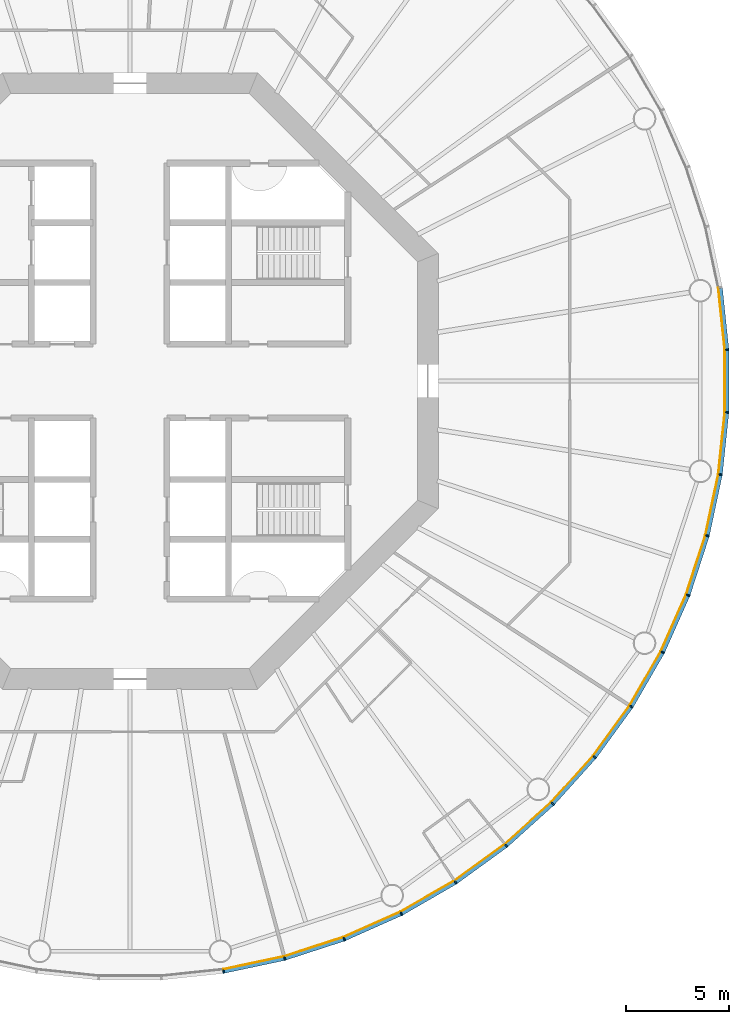
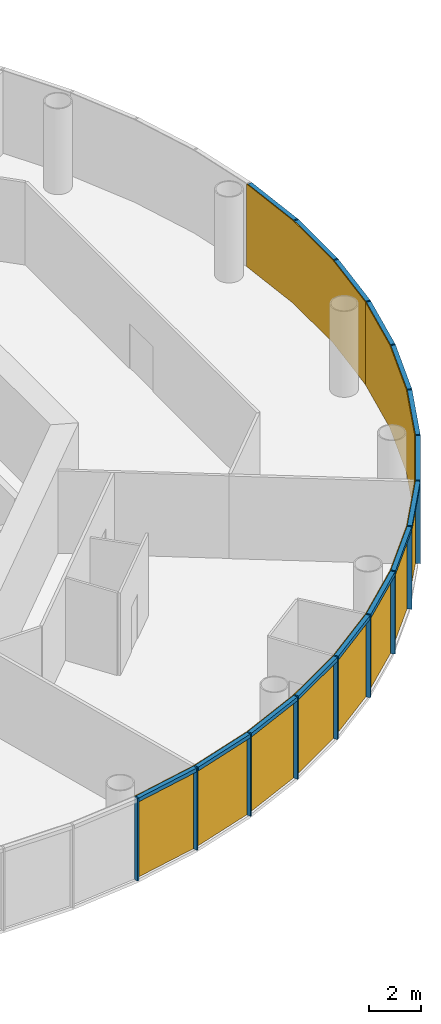
# One storey, part 9 of 13: 30 members, 5 curtain walls.
"""IFC4 building model written with IfcOpenShell, lengths in metres."""

from ifc_helpers import new_model, si_unit, direction, frame, origin, origin_2d, place, context, subcontext, project, spatial, polyline, rectangle, outline, extrude, material, layer, layer_set, material_profile, profile_set, type_object, element, aggregate, save


model = new_model("IFC4")

# Units and contexts
model_context = context("Model", 3, precision=1e-05, world=origin(), true_north=direction((0.0, 1.0)))
body_context = subcontext(model_context, "Body", "Model", "MODEL_VIEW")
ifc_project = project(units=[si_unit("LENGTHUNIT", "METRE"), si_unit("AREAUNIT", "SQUARE_METRE"), si_unit("VOLUMEUNIT", "CUBIC_METRE"), si_unit("PLANEANGLEUNIT", "RADIAN"), si_unit("MASSUNIT", "GRAM", prefix="KILO")], contexts=[model_context])

# Member
ifc_material_1 = material(Name="Anodised aluminium", Category="aluminium")
ifc_material_profile_1 = material_profile(ifc_material_1, rectangle(XDim=0.06494140625, YDim=0.18505859375, at=origin_2d()), Name="Mullion 65 x 185 mm anodised aluminium")
ifc_profile_set_1 = profile_set([ifc_material_profile_1], Name="Anodised aluminium")
member_type_1 = type_object("IfcMemberType", Name="Mullion 65 x 185 mm anodised aluminium", PredefinedType="MULLION", material=ifc_profile_set_1)
site_placement = place(None, origin())
building_placement = place(site_placement, origin())
storey_placement = place(building_placement, frame((0.0, 0.0, 172.0)))
member_1_placement = place(storey_placement, frame((94.551025390625, 51.265625, 0.0), z_axis=(0.0, 0.0, 1.0), x_axis=(0.987688340595, 0.15643446504, 0.0)))
member_1 = element("IfcMember", 1, at=member_1_placement, type_object=member_type_1, Name="MULLION L39-45", PredefinedType="MULLION", context=body_context, shape_type="SweptSolid", body=[
    extrude(rectangle(XDim=0.06494140625, YDim=0.18505859375, at=origin_2d()), origin(), (0.0, 0.0, 1.0), 3.85009765625),
])

member_2_placement = place(storey_placement, frame((97.52978515625, 51.898681640625, 0.0), z_axis=(0.0, 0.0, 1.0), x_axis=(0.965925826289, 0.258819045103, 0.0)))
member_2 = element("IfcMember", 2, at=member_2_placement, type_object=member_type_1, Name="MULLION L39-46", PredefinedType="MULLION", context=body_context, shape_type="SweptSolid", body=[
    extrude(rectangle(XDim=0.06494140625, YDim=0.18505859375, at=origin_2d()), origin(), (0.0, 0.0, 1.0), 3.85009765625),
])

member_3_placement = place(storey_placement, frame((100.42578125, 52.83984375, 0.0), z_axis=(0.0, 0.0, 1.0), x_axis=(0.933580426497, 0.358367949545, 0.0)))
member_3 = element("IfcMember", 3, at=member_3_placement, type_object=member_type_1, Name="MULLION L39-47", PredefinedType="MULLION", context=body_context, shape_type="SweptSolid", body=[
    extrude(rectangle(XDim=0.06494140625, YDim=0.18505859375, at=origin_2d()), origin(), (0.0, 0.0, 1.0), 3.85009765625),
])

member_4_placement = place(storey_placement, frame((103.207763671875, 54.078369140625, 0.0), z_axis=(0.0, 0.0, 1.0), x_axis=(0.891006524188, 0.45399049974, 0.0)))
member_4 = element("IfcMember", 4, at=member_4_placement, type_object=member_type_1, Name="MULLION L39-48", PredefinedType="MULLION", context=body_context, shape_type="SweptSolid", body=[
    extrude(rectangle(XDim=0.06494140625, YDim=0.18505859375, at=origin_2d()), origin(), (0.0, 0.0, 1.0), 3.85009765625),
])

member_5_placement = place(storey_placement, frame((105.844970703125, 55.60107421875, 0.0), z_axis=(0.0, 0.0, 1.0), x_axis=(0.838670567945, 0.544639035015, 0.0)))
member_5 = element("IfcMember", 5, at=member_5_placement, type_object=member_type_1, Name="MULLION L39-49", PredefinedType="MULLION", context=body_context, shape_type="SweptSolid", body=[
    extrude(rectangle(XDim=0.06494140625, YDim=0.18505859375, at=origin_2d()), origin(), (0.0, 0.0, 1.0), 3.85009765625),
])

member_6_placement = place(storey_placement, frame((108.30859375, 57.390869140625, 0.0), z_axis=(0.0, 0.0, 1.0), x_axis=(0.777145961457, 0.62932039105, 0.0)))
member_6 = element("IfcMember", 6, at=member_6_placement, type_object=member_type_1, Name="MULLION L39-50", PredefinedType="MULLION", context=body_context, shape_type="SweptSolid", body=[
    extrude(rectangle(XDim=0.06494140625, YDim=0.18505859375, at=origin_2d()), origin(), (0.0, 0.0, 1.0), 3.85009765625),
])

member_7_placement = place(storey_placement, frame((110.571533203125, 59.428466796875, 0.0), z_axis=(0.0, 0.0, 1.0), x_axis=(0.707106781187, 0.707106781187, 0.0)))
member_7 = element("IfcMember", 7, at=member_7_placement, type_object=member_type_1, Name="MULLION L39-51", PredefinedType="MULLION", context=body_context, shape_type="SweptSolid", body=[
    extrude(rectangle(XDim=0.06494140625, YDim=0.18505859375, at=origin_2d()), origin(), (0.0, 0.0, 1.0), 3.85009765625),
])

member_8_placement = place(storey_placement, frame((112.609130859375, 61.69140625, 0.0), z_axis=(0.0, 0.0, 1.0), x_axis=(0.62932039105, 0.777145961457, 0.0)))
member_8 = element("IfcMember", 8, at=member_8_placement, type_object=member_type_1, Name="MULLION L39-52", PredefinedType="MULLION", context=body_context, shape_type="SweptSolid", body=[
    extrude(rectangle(XDim=0.06494140625, YDim=0.18505859375, at=origin_2d()), origin(), (0.0, 0.0, 1.0), 3.85009765625),
])

member_9_placement = place(storey_placement, frame((114.39892578125, 64.155029296875, 0.0), z_axis=(0.0, 0.0, 1.0), x_axis=(0.544639035015, 0.838670567945, 0.0)))
member_9 = element("IfcMember", 9, at=member_9_placement, type_object=member_type_1, Name="MULLION L39-53", PredefinedType="MULLION", context=body_context, shape_type="SweptSolid", body=[
    extrude(rectangle(XDim=0.06494140625, YDim=0.18505859375, at=origin_2d()), origin(), (0.0, 0.0, 1.0), 3.85009765625),
])

member_10_placement = place(storey_placement, frame((115.921630859375, 66.792236328125, 0.0), z_axis=(0.0, 0.0, 1.0), x_axis=(0.45399049974, 0.891006524188, 0.0)))
member_10 = element("IfcMember", 10, at=member_10_placement, type_object=member_type_1, Name="MULLION L39-54", PredefinedType="MULLION", context=body_context, shape_type="SweptSolid", body=[
    extrude(rectangle(XDim=0.06494140625, YDim=0.18505859375, at=origin_2d()), origin(), (0.0, 0.0, 1.0), 3.85009765625),
])

member_11_placement = place(storey_placement, frame((117.16015625, 69.57421875, 0.0), z_axis=(0.0, 0.0, 1.0), x_axis=(0.358367949545, 0.933580426497, 0.0)))
member_11 = element("IfcMember", 11, at=member_11_placement, type_object=member_type_1, Name="MULLION L39-55", PredefinedType="MULLION", context=body_context, shape_type="SweptSolid", body=[
    extrude(rectangle(XDim=0.06494140625, YDim=0.18505859375, at=origin_2d()), origin(), (0.0, 0.0, 1.0), 3.85009765625),
])

member_12_placement = place(storey_placement, frame((118.101318359375, 72.47021484375, 0.0), z_axis=(0.0, 0.0, 1.0), x_axis=(0.258819045103, 0.965925826289, 0.0)))
member_12 = element("IfcMember", 12, at=member_12_placement, type_object=member_type_1, Name="MULLION L39-56", PredefinedType="MULLION", context=body_context, shape_type="SweptSolid", body=[
    extrude(rectangle(XDim=0.06494140625, YDim=0.18505859375, at=origin_2d()), origin(), (0.0, 0.0, 1.0), 3.85009765625),
])

member_13_placement = place(storey_placement, frame((118.734375, 75.448974609375, 0.0), z_axis=(0.0, 0.0, 1.0), x_axis=(0.15643446504, 0.987688340595, 0.0)))
member_13 = element("IfcMember", 13, at=member_13_placement, type_object=member_type_1, Name="MULLION L39-57", PredefinedType="MULLION", context=body_context, shape_type="SweptSolid", body=[
    extrude(rectangle(XDim=0.06494140625, YDim=0.18505859375, at=origin_2d()), origin(), (0.0, 0.0, 1.0), 3.85009765625),
])

member_14_placement = place(storey_placement, frame((119.052734375, 78.477294921875, 0.0), z_axis=(0.0, 0.0, 1.0), x_axis=(0.052335956243, 0.998629534755, 0.0)))
member_14 = element("IfcMember", 14, at=member_14_placement, type_object=member_type_1, Name="MULLION L39-58", PredefinedType="MULLION", context=body_context, shape_type="SweptSolid", body=[
    extrude(rectangle(XDim=0.06494140625, YDim=0.18505859375, at=origin_2d()), origin(), (0.0, 0.0, 1.0), 3.85009765625),
])

member_15_placement = place(storey_placement, frame((119.052734375, 81.522705078125, 0.0), z_axis=(0.0, 0.0, 1.0), x_axis=(-0.052335956243, 0.998629534755, 0.0)))
member_15 = element("IfcMember", 15, at=member_15_placement, type_object=member_type_1, Name="MULLION L39-59", PredefinedType="MULLION", context=body_context, shape_type="SweptSolid", body=[
    extrude(rectangle(XDim=0.06494140625, YDim=0.18505859375, at=origin_2d()), origin(), (0.0, 0.0, 1.0), 3.85009765625),
])

ifc_material_2 = material(Name="Anodised aluminium", Category="aluminium")
ifc_material_profile_2 = material_profile(ifc_material_2, rectangle(XDim=0.18505859375, YDim=0.175048828125, at=origin_2d()), Name="Transom 175 x 185 mm anodised aluminium")
ifc_profile_set_2 = profile_set([ifc_material_profile_2], Name="Anodised aluminium")
member_type_2 = type_object("IfcMemberType", Name="Transom 175 x 185 mm anodised aluminium", PredefinedType="USERDEFINED", material=ifc_profile_set_2)
member_16_placement = place(storey_placement, frame((94.587646484375, 51.2734375, 3.762451171875), z_axis=(0.97815822425, 0.207861704825, 0.0), x_axis=(-0.207861704825, 0.97815822425, 0.0)))
member_16 = element("IfcMember", 16, at=member_16_placement, type_object=member_type_2, Name="TRANSOM L39-45", ObjectType="TRANSOM", PredefinedType="USERDEFINED", context=body_context, shape_type="SweptSolid", body=[
    extrude(rectangle(XDim=0.18505859375, YDim=0.175048828125, at=origin_2d()), origin(), (0.0, 0.0, 1.0), 2.970458984375),
])

member_17_placement = place(storey_placement, frame((97.565185546875, 51.91015625, 3.762451171875), z_axis=(0.951055809184, 0.30901917063, 0.0), x_axis=(-0.30901917063, 0.951055809184, 0.0)))
member_17 = element("IfcMember", 17, at=member_17_placement, type_object=member_type_2, Name="TRANSOM L39-46", ObjectType="TRANSOM", PredefinedType="USERDEFINED", context=body_context, shape_type="SweptSolid", body=[
    extrude(rectangle(XDim=0.18505859375, YDim=0.175048828125, at=origin_2d()), origin(), (0.0, 0.0, 1.0), 2.970703125),
])

member_18_placement = place(storey_placement, frame((100.4599609375, 52.85498046875, 3.762451171875), z_axis=(0.913567348806, 0.406687471156, 0.0), x_axis=(-0.406687471156, 0.913567348806, 0.0)))
member_18 = element("IfcMember", 18, at=member_18_placement, type_object=member_type_2, Name="TRANSOM L39-47", ObjectType="TRANSOM", PredefinedType="USERDEFINED", context=body_context, shape_type="SweptSolid", body=[
    extrude(rectangle(XDim=0.18505859375, YDim=0.175048828125, at=origin_2d()), origin(), (0.0, 0.0, 1.0), 2.970458984375),
])

member_19_placement = place(storey_placement, frame((103.240234375, 54.096923828125, 3.762451171875), z_axis=(0.866009025146, 0.500028367561, 0.0), x_axis=(-0.500028367561, 0.866009025146, 0.0)))
member_19 = element("IfcMember", 19, at=member_19_placement, type_object=member_type_2, Name="TRANSOM L39-48", ObjectType="TRANSOM", PredefinedType="USERDEFINED", context=body_context, shape_type="SweptSolid", body=[
    extrude(rectangle(XDim=0.18505859375, YDim=0.175048828125, at=origin_2d()), origin(), (0.0, 0.0, 1.0), 2.970458984375),
])

member_20_placement = place(storey_placement, frame((105.875244140625, 55.622802734375, 3.762451171875), z_axis=(0.808991906087, 0.587819781808, 0.0), x_axis=(-0.587819781808, 0.808991906087, 0.0)))
member_20 = element("IfcMember", 20, at=member_20_placement, type_object=member_type_2, Name="TRANSOM L39-49", ObjectType="TRANSOM", PredefinedType="USERDEFINED", context=body_context, shape_type="SweptSolid", body=[
    extrude(rectangle(XDim=0.18505859375, YDim=0.175048828125, at=origin_2d()), origin(), (0.0, 0.0, 1.0), 2.970458984375),
])

member_21_placement = place(storey_placement, frame((108.33642578125, 57.415771484375, 3.762451171875), z_axis=(0.743163354343, 0.669110027395, 0.0), x_axis=(-0.669110027395, 0.743163354343, 0.0)))
member_21 = element("IfcMember", 21, at=member_21_placement, type_object=member_type_2, Name="TRANSOM L39-50", ObjectType="TRANSOM", PredefinedType="USERDEFINED", context=body_context, shape_type="SweptSolid", body=[
    extrude(rectangle(XDim=0.18505859375, YDim=0.175048828125, at=origin_2d()), origin(), (0.0, 0.0, 1.0), 2.970458984375),
])

member_22_placement = place(storey_placement, frame((110.5966796875, 59.4560546875, 3.762451171875), z_axis=(0.669110027395, 0.743163354343, 0.0), x_axis=(-0.743163354343, 0.669110027395, 0.0)))
member_22 = element("IfcMember", 22, at=member_22_placement, type_object=member_type_2, Name="TRANSOM L39-51", ObjectType="TRANSOM", PredefinedType="USERDEFINED", context=body_context, shape_type="SweptSolid", body=[
    extrude(rectangle(XDim=0.18505859375, YDim=0.175048828125, at=origin_2d()), origin(), (0.0, 0.0, 1.0), 2.970458984375),
])

member_23_placement = place(storey_placement, frame((112.631103515625, 61.7216796875, 3.762451171875), z_axis=(0.587819781808, 0.808991906087, 0.0), x_axis=(-0.808991906087, 0.587819781808, 0.0)))
member_23 = element("IfcMember", 23, at=member_23_placement, type_object=member_type_2, Name="TRANSOM L39-52", ObjectType="TRANSOM", PredefinedType="USERDEFINED", context=body_context, shape_type="SweptSolid", body=[
    extrude(rectangle(XDim=0.18505859375, YDim=0.175048828125, at=origin_2d()), origin(), (0.0, 0.0, 1.0), 2.970458984375),
])

member_24_placement = place(storey_placement, frame((114.417724609375, 64.187255859375, 3.762451171875), z_axis=(0.500028367561, 0.866009025146, 0.0), x_axis=(-0.866009025146, 0.500028367561, 0.0)))
member_24 = element("IfcMember", 24, at=member_24_placement, type_object=member_type_2, Name="TRANSOM L39-53", ObjectType="TRANSOM", PredefinedType="USERDEFINED", context=body_context, shape_type="SweptSolid", body=[
    extrude(rectangle(XDim=0.18505859375, YDim=0.175048828125, at=origin_2d()), origin(), (0.0, 0.0, 1.0), 2.970458984375),
])

member_25_placement = place(storey_placement, frame((115.93701171875, 66.826416015625, 3.762451171875), z_axis=(0.406687471156, 0.913567348806, 0.0), x_axis=(-0.913567348806, 0.406687471156, 0.0)))
member_25 = element("IfcMember", 25, at=member_25_placement, type_object=member_type_2, Name="TRANSOM L39-54", ObjectType="TRANSOM", PredefinedType="USERDEFINED", context=body_context, shape_type="SweptSolid", body=[
    extrude(rectangle(XDim=0.18505859375, YDim=0.175048828125, at=origin_2d()), origin(), (0.0, 0.0, 1.0), 2.970458984375),
])

member_26_placement = place(storey_placement, frame((117.171875, 69.609619140625, 3.762451171875), z_axis=(0.30901917063, 0.951055809184, 0.0), x_axis=(-0.951055809184, 0.30901917063, 0.0)))
member_26 = element("IfcMember", 26, at=member_26_placement, type_object=member_type_2, Name="TRANSOM L39-55", ObjectType="TRANSOM", PredefinedType="USERDEFINED", context=body_context, shape_type="SweptSolid", body=[
    extrude(rectangle(XDim=0.18505859375, YDim=0.175048828125, at=origin_2d()), origin(), (0.0, 0.0, 1.0), 2.970703125),
])

member_27_placement = place(storey_placement, frame((118.109130859375, 72.5068359375, 3.762451171875), z_axis=(0.207861704825, 0.97815822425, 0.0), x_axis=(-0.97815822425, 0.207861704825, 0.0)))
member_27 = element("IfcMember", 27, at=member_27_placement, type_object=member_type_2, Name="TRANSOM L39-56", ObjectType="TRANSOM", PredefinedType="USERDEFINED", context=body_context, shape_type="SweptSolid", body=[
    extrude(rectangle(XDim=0.18505859375, YDim=0.175048828125, at=origin_2d()), origin(), (0.0, 0.0, 1.0), 2.970458984375),
])

member_28_placement = place(storey_placement, frame((118.73828125, 75.486083984375, 3.762451171875), z_axis=(0.104547872381, 0.994519855197, 0.0), x_axis=(-0.994519855197, 0.104547872381, 0.0)))
member_28 = element("IfcMember", 28, at=member_28_placement, type_object=member_type_2, Name="TRANSOM L39-57", ObjectType="TRANSOM", PredefinedType="USERDEFINED", context=body_context, shape_type="SweptSolid", body=[
    extrude(rectangle(XDim=0.18505859375, YDim=0.175048828125, at=origin_2d()), origin(), (0.0, 0.0, 1.0), 2.970458984375),
])

member_29_placement = place(storey_placement, frame((119.052734375, 78.5146484375, 3.762451171875), z_axis=(0.0, 1.0, 0.0), x_axis=(-1.0, 0.0, 0.0)))
member_29 = element("IfcMember", 29, at=member_29_placement, type_object=member_type_2, Name="TRANSOM L39-58", ObjectType="TRANSOM", PredefinedType="USERDEFINED", context=body_context, shape_type="SweptSolid", body=[
    extrude(rectangle(XDim=0.18505859375, YDim=0.175048828125, at=origin_2d()), origin(), (0.0, 0.0, 1.0), 2.970703125),
])

member_30_placement = place(storey_placement, frame((119.048828125, 81.559814453125, 3.762451171875), z_axis=(-0.104547872381, 0.994519855197, 0.0), x_axis=(-0.994519855197, -0.104547872381, 0.0)))
member_30 = element("IfcMember", 30, at=member_30_placement, type_object=member_type_2, Name="TRANSOM L39-59", ObjectType="TRANSOM", PredefinedType="USERDEFINED", context=body_context, shape_type="SweptSolid", body=[
    extrude(rectangle(XDim=0.18505859375, YDim=0.175048828125, at=origin_2d()), origin(), (0.0, 0.0, 1.0), 2.970458984375),
])

# Site, building, storey
site = spatial("IfcSite", under=ifc_project, at=site_placement, CompositionType="ELEMENT")
building = spatial("IfcBuilding", under=site, at=building_placement, Name="Entoto Ring Tower", CompositionType="ELEMENT")
storey = spatial("IfcBuildingStorey", under=building, at=storey_placement, Name="L39", CompositionType="ELEMENT", Elevation=172.0)

# Curtain wall
ifc_material_3 = material(Name="Clear low-iron glass", Category="glass")
ifc_layer = layer(ifc_material_3, 0.033935546875)
ifc_layer_set = layer_set([ifc_layer], Name="Clear low-iron glass")
curtain_wall_type = type_object("IfcCurtainWallType", Name="Curtain wall system CW3 glazing 34 mm", PredefinedType="NOTDEFINED", material=ifc_layer_set)
curtain_wall_1_placement = place(storey_placement, origin())
curtain_wall_1 = element("IfcCurtainWall", 31, at=curtain_wall_1_placement, inside=storey, type_object=curtain_wall_type, Name="CW3 L39-16", PredefinedType="NOTDEFINED", context=body_context, shape_type="SweptSolid", body=[
    extrude(outline(polyline([(94.53662109375, 51.35693359375), (97.505859375, 51.988037109375), (100.392578125, 52.92626953125), (103.165771484375, 54.160888671875), (103.150146484375, 54.191162109375), (100.38037109375, 52.9580078125), (97.496826171875, 52.02099609375), (94.53125, 51.390625), (94.53662109375, 51.35693359375)])), origin(), (0.0, 0.0, 1.0), 3.85009765625),
])

aggregate(curtain_wall_1, [member_1, member_2, member_3, member_16, member_17, member_18])

curtain_wall_2_placement = place(storey_placement, origin())
curtain_wall_2 = element("IfcCurtainWall", 32, at=curtain_wall_2_placement, inside=storey, type_object=curtain_wall_type, Name="CW3 L39-17", PredefinedType="NOTDEFINED", context=body_context, shape_type="SweptSolid", body=[
    extrude(outline(polyline([(103.165771484375, 54.160888671875), (105.79443359375, 55.678466796875), (108.250244140625, 57.462646484375), (110.506103515625, 59.493896484375), (110.48193359375, 59.51806640625), (108.228759765625, 57.4892578125), (105.77587890625, 55.70703125), (103.150146484375, 54.191162109375), (103.165771484375, 54.160888671875)])), origin(), (0.0, 0.0, 1.0), 3.85009765625),
])

aggregate(curtain_wall_2, [member_4, member_5, member_6, member_19, member_20, member_21])

curtain_wall_3_placement = place(storey_placement, origin())
curtain_wall_3 = element("IfcCurtainWall", 33, at=curtain_wall_3_placement, inside=storey, type_object=curtain_wall_type, Name="CW3 L39-18", PredefinedType="NOTDEFINED", context=body_context, shape_type="SweptSolid", body=[
    extrude(outline(polyline([(110.506103515625, 59.493896484375), (112.537353515625, 61.749755859375), (114.321533203125, 64.20556640625), (115.839111328125, 66.834228515625), (115.808837890625, 66.849853515625), (114.29296875, 64.22412109375), (112.5107421875, 61.771240234375), (110.48193359375, 59.51806640625), (110.506103515625, 59.493896484375)])), origin(), (0.0, 0.0, 1.0), 3.85009765625),
])

aggregate(curtain_wall_3, [member_7, member_8, member_9, member_22, member_23, member_24])

curtain_wall_4_placement = place(storey_placement, origin())
curtain_wall_4 = element("IfcCurtainWall", 34, at=curtain_wall_4_placement, inside=storey, type_object=curtain_wall_type, Name="CW3 L39-19", PredefinedType="NOTDEFINED", context=body_context, shape_type="SweptSolid", body=[
    extrude(outline(polyline([(115.839111328125, 66.834228515625), (117.07373046875, 69.607421875), (118.011962890625, 72.494140625), (118.64306640625, 75.46337890625), (118.609375, 75.46875), (117.97900390625, 72.503173828125), (117.0419921875, 69.61962890625), (115.808837890625, 66.849853515625), (115.839111328125, 66.834228515625)])), origin(), (0.0, 0.0, 1.0), 3.85009765625),
])

aggregate(curtain_wall_4, [member_10, member_11, member_12, member_25, member_26, member_27])

curtain_wall_5_placement = place(storey_placement, origin())
curtain_wall_5 = element("IfcCurtainWall", 35, at=curtain_wall_5_placement, inside=storey, type_object=curtain_wall_type, Name="CW3 L39-20", PredefinedType="NOTDEFINED", context=body_context, shape_type="SweptSolid", body=[
    extrude(outline(polyline([(118.64306640625, 75.46337890625), (118.960205078125, 78.482177734375), (118.960205078125, 81.517822265625), (118.64306640625, 84.53662109375), (118.609375, 84.53125), (118.92626953125, 81.515869140625), (118.92626953125, 78.484130859375), (118.609375, 75.46875), (118.64306640625, 75.46337890625)])), origin(), (0.0, 0.0, 1.0), 3.85009765625),
])

aggregate(curtain_wall_5, [member_13, member_14, member_15, member_28, member_29, member_30])

save(model, "model.ifc")
